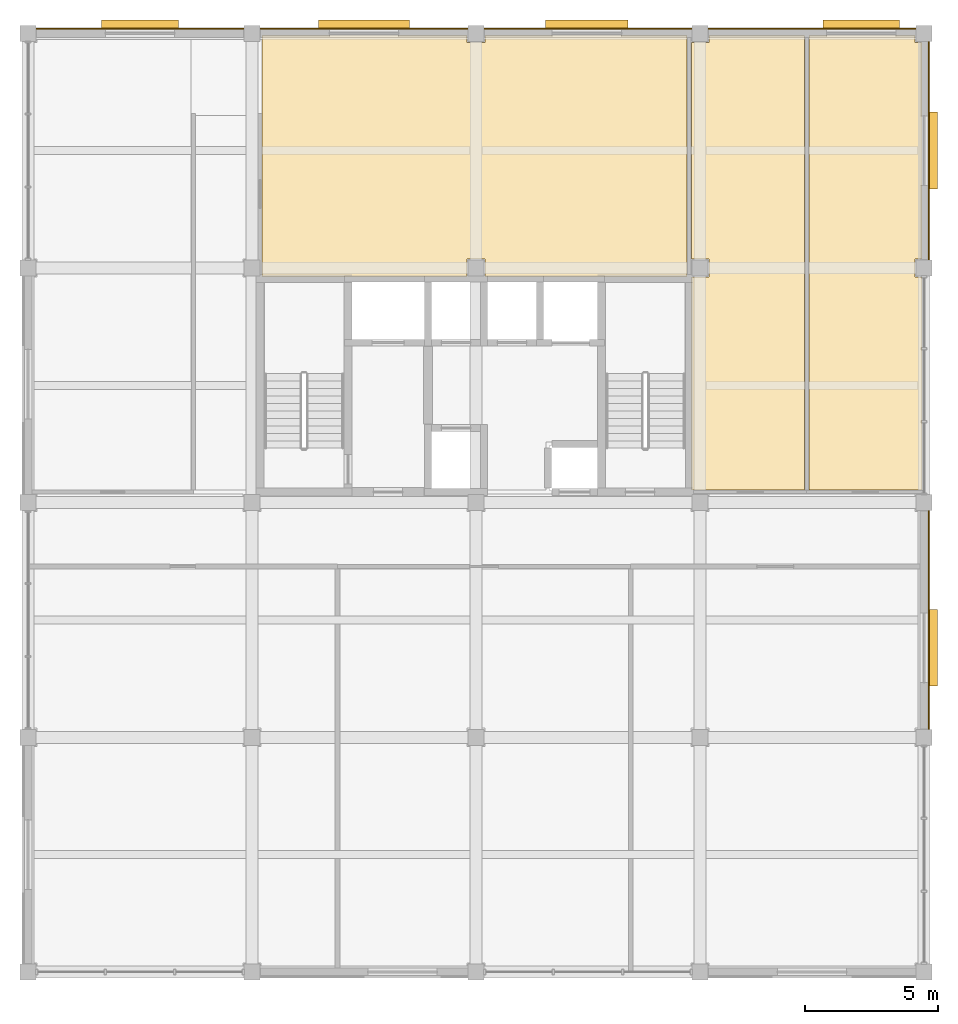
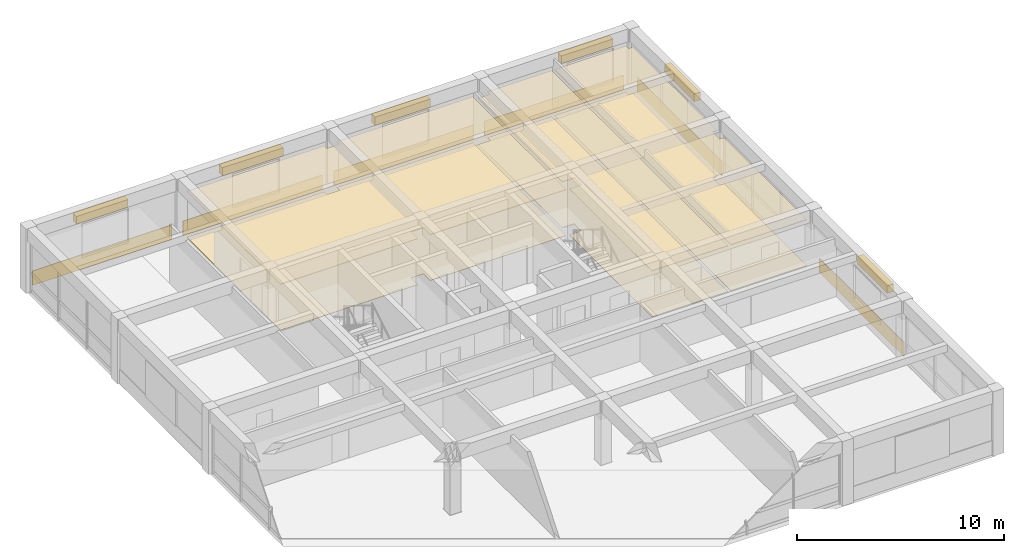
# One storey, part 12 of 12: 12 coverings, 6 shading devices.
"""IFC4 building model written with IfcOpenShell, lengths in metres."""

from ifc_helpers import new_model, si_unit, direction, frame, origin, origin_2d, place, context, subcontext, project, spatial, polyline, rectangle, outline, extrude, material, layer, layer_set, type_object, element, save


model = new_model("IFC4")

# Units and contexts
model_context = context("Model", 3, precision=1e-05, world=origin(), true_north=direction((0.0, 1.0)))
body_context = subcontext(model_context, "Body", "Model", "MODEL_VIEW")
ifc_project = project(units=[si_unit("LENGTHUNIT", "METRE"), si_unit("AREAUNIT", "SQUARE_METRE"), si_unit("VOLUMEUNIT", "CUBIC_METRE"), si_unit("PLANEANGLEUNIT", "RADIAN"), si_unit("MASSUNIT", "GRAM", prefix="KILO")], contexts=[model_context])

# Site, building, storey
site_placement = place(None, origin())
site = spatial("IfcSite", under=ifc_project, at=site_placement, CompositionType="ELEMENT")
building_placement = place(site_placement, origin())
building = spatial("IfcBuilding", under=site, at=building_placement, Name="Kemercrest Conservatory and Botanical Centre", CompositionType="ELEMENT")
storey_placement = place(building_placement, frame((0.0, 0.0, 56.0)))
storey = spatial("IfcBuildingStorey", under=building, at=storey_placement, Name="L14", CompositionType="ELEMENT", Elevation=56.0)

# Coverings
ifc_material_1 = material(Name="Honed limestone almasik ashlar rainscreen", Category="masonry")
ifc_layer_1 = layer(ifc_material_1, 0.0400390625)
ifc_layer_set_1 = layer_set([ifc_layer_1], Name="Honed limestone almasik ashlar rainscreen")
covering_type_1 = type_object("IfcCoveringType", Name="CV-CLD040", PredefinedType="CLADDING", material=ifc_layer_set_1)
covering_1_placement = place(storey_placement, origin())
element("IfcCovering", 1, at=covering_1_placement, inside=storey, type_object=covering_type_1, Name="Exterior stone spandrel cladding (WAL:L14:EXT-335)", PredefinedType="CLADDING", context=body_context, shape_type="SweptSolid", body=[
    extrude(outline(polyline([(176.14990234375, 96.31005859375), (176.18994140625, 96.31005859375), (176.18994140625, 104.489990234375), (176.14990234375, 104.489990234375), (176.14990234375, 96.31005859375)])), origin(), (0.0, 0.0, 1.0), 0.85009765625),
])
covering_2_placement = place(storey_placement, origin())
element("IfcCovering", 2, at=covering_2_placement, inside=storey, type_object=covering_type_1, Name="Exterior stone spandrel cladding (WAL:L14:EXT-336)", PredefinedType="CLADDING", context=body_context, shape_type="SweptSolid", body=[
    extrude(outline(polyline([(176.14990234375, 113.909912109375), (176.18994140625, 113.909912109375), (176.18994140625, 122.090087890625), (176.14990234375, 122.090087890625), (176.14990234375, 113.909912109375)])), origin(), (0.0, 0.0, 1.0), 0.85009765625),
])
covering_3_placement = place(storey_placement, origin())
element("IfcCovering", 3, at=covering_3_placement, inside=storey, type_object=covering_type_1, Name="Exterior stone spandrel cladding (WAL:L14:EXT-337)", PredefinedType="CLADDING", context=body_context, shape_type="SweptSolid", body=[
    extrude(outline(polyline([(175.68994140625, 122.550048828125), (175.68994140625, 122.590087890625), (167.909912109375, 122.590087890625), (167.909912109375, 122.550048828125), (175.68994140625, 122.550048828125)])), origin(), (0.0, 0.0, 1.0), 0.85009765625),
])
covering_4_placement = place(storey_placement, origin())
element("IfcCovering", 4, at=covering_4_placement, inside=storey, type_object=covering_type_1, Name="Exterior stone spandrel cladding (WAL:L14:EXT-338)", PredefinedType="CLADDING", context=body_context, shape_type="SweptSolid", body=[
    extrude(outline(polyline([(167.2900390625, 122.550048828125), (167.2900390625, 122.590087890625), (159.510009765625, 122.590087890625), (159.510009765625, 122.550048828125), (167.2900390625, 122.550048828125)])), origin(), (0.0, 0.0, 1.0), 0.85009765625),
])
covering_5_placement = place(storey_placement, origin())
element("IfcCovering", 5, at=covering_5_placement, inside=storey, type_object=covering_type_1, Name="Exterior stone spandrel cladding (WAL:L14:EXT-339)", PredefinedType="CLADDING", context=body_context, shape_type="SweptSolid", body=[
    extrude(outline(polyline([(158.889892578125, 122.550048828125), (158.889892578125, 122.590087890625), (151.110107421875, 122.590087890625), (151.110107421875, 122.550048828125), (158.889892578125, 122.550048828125)])), origin(), (0.0, 0.0, 1.0), 0.85009765625),
])
covering_6_placement = place(storey_placement, origin())
element("IfcCovering", 6, at=covering_6_placement, inside=storey, type_object=covering_type_1, Name="Exterior stone spandrel cladding (WAL:L14:EXT-340)", PredefinedType="CLADDING", context=body_context, shape_type="SweptSolid", body=[
    extrude(outline(polyline([(150.489990234375, 122.550048828125), (150.489990234375, 122.590087890625), (142.7099609375, 122.590087890625), (142.7099609375, 122.550048828125), (150.489990234375, 122.550048828125)])), origin(), (0.0, 0.0, 1.0), 0.85009765625),
])
ifc_material_2 = material(Name="Perforated acoustic gypsum and mineral-fibre suspended ceiling", Category="gypsum")
ifc_layer_2 = layer(ifc_material_2, 0.034912109375)
ifc_layer_set_2 = layer_set([ifc_layer_2], Name="Perforated acoustic gypsum and mineral-fibre suspended ceiling")
covering_type_2 = type_object("IfcCoveringType", Name="CV-CLG035", PredefinedType="CEILING", material=ifc_layer_set_2)
covering_7_placement = place(storey_placement, frame((0.0, 0.0, 2.699951171875)))
element("IfcCovering", 7, at=covering_7_placement, inside=storey, type_object=covering_type_2, Name="Botanical Archive Reading Studio suspended acoustic ceiling", PredefinedType="CEILING", context=body_context, shape_type="SweptSolid", body=[
    extrude(outline(polyline([(159.5400390625, 113.280029296875), (167.1201171875, 113.280029296875), (167.1201171875, 122.320068359375), (159.5400390625, 122.320068359375), (159.5400390625, 122.06005859375), (158.860107421875, 122.06005859375), (158.860107421875, 122.320068359375), (151.179931640625, 122.320068359375), (151.179931640625, 113.280029296875), (158.860107421875, 113.280029296875), (158.860107421875, 113.93994140625), (159.5400390625, 113.93994140625), (159.5400390625, 113.280029296875)])), origin(), (0.0, 0.0, 1.0), 0.03515625),
])
covering_8_placement = place(storey_placement, frame((0.0, 0.0, 2.699951171875)))
element("IfcCovering", 8, at=covering_8_placement, inside=storey, type_object=covering_type_2, Name="Staff Washroom suspended acoustic ceiling", PredefinedType="CEILING", context=body_context, shape_type="SweptSolid", body=[
    extrude(outline(polyline([(167.280029296875, 105.280029296875), (171.52001953125, 105.280029296875), (171.52001953125, 122.320068359375), (167.93994140625, 122.320068359375), (167.93994140625, 122.06005859375), (167.280029296875, 122.06005859375), (167.280029296875, 113.93994140625), (167.93994140625, 113.93994140625), (167.93994140625, 113.260009765625), (167.280029296875, 113.260009765625), (167.280029296875, 105.280029296875)])), origin(), (0.0, 0.0, 1.0), 0.03515625),
])
covering_9_placement = place(storey_placement, frame((0.0, 0.0, 2.699951171875)))
element("IfcCovering", 9, at=covering_9_placement, inside=storey, type_object=covering_type_2, Name="Accessible Washroom suspended acoustic ceiling", PredefinedType="CEILING", context=body_context, shape_type="SweptSolid", body=[
    extrude(outline(polyline([(171.679931640625, 105.280029296875), (175.919921875, 105.280029296875), (175.919921875, 113.260009765625), (175.659912109375, 113.260009765625), (175.659912109375, 113.93994140625), (175.919921875, 113.93994140625), (175.919921875, 122.06005859375), (175.659912109375, 122.06005859375), (175.659912109375, 122.320068359375), (171.679931640625, 122.320068359375), (171.679931640625, 105.280029296875)])), origin(), (0.0, 0.0, 1.0), 0.03515625),
])
ifc_material_3 = material(Name="Polished limestone terrazzo and seamless laboratory epoxy flooring", Category="masonry")
ifc_layer_3 = layer(ifc_material_3, 0.02001953125)
ifc_layer_set_3 = layer_set([ifc_layer_3], Name="Polished limestone terrazzo and seamless laboratory epoxy flooring")
covering_type_3 = type_object("IfcCoveringType", Name="CV-FLR020", PredefinedType="FLOORING", material=ifc_layer_set_3)
covering_10_placement = place(storey_placement, origin())
element("IfcCovering", 10, at=covering_10_placement, inside=storey, type_object=covering_type_3, Name="Botanical Archive Reading Studio floor finish", PredefinedType="FLOORING", context=body_context, shape_type="SweptSolid", body=[
    extrude(outline(polyline([(159.5400390625, 113.280029296875), (167.1201171875, 113.280029296875), (167.1201171875, 122.320068359375), (159.5400390625, 122.320068359375), (159.5400390625, 122.06005859375), (158.860107421875, 122.06005859375), (158.860107421875, 122.320068359375), (151.179931640625, 122.320068359375), (151.179931640625, 113.280029296875), (158.860107421875, 113.280029296875), (158.860107421875, 113.93994140625), (159.5400390625, 113.93994140625), (159.5400390625, 113.280029296875)])), origin(), (0.0, 0.0, 1.0), 0.02001953125),
])
covering_11_placement = place(storey_placement, origin())
element("IfcCovering", 11, at=covering_11_placement, inside=storey, type_object=covering_type_3, Name="Staff Washroom floor finish", PredefinedType="FLOORING", context=body_context, shape_type="SweptSolid", body=[
    extrude(outline(polyline([(167.280029296875, 105.280029296875), (171.52001953125, 105.280029296875), (171.52001953125, 122.320068359375), (167.93994140625, 122.320068359375), (167.93994140625, 122.06005859375), (167.280029296875, 122.06005859375), (167.280029296875, 113.93994140625), (167.93994140625, 113.93994140625), (167.93994140625, 113.260009765625), (167.280029296875, 113.260009765625), (167.280029296875, 105.280029296875)])), origin(), (0.0, 0.0, 1.0), 0.02001953125),
])
covering_12_placement = place(storey_placement, origin())
element("IfcCovering", 12, at=covering_12_placement, inside=storey, type_object=covering_type_3, Name="Accessible Washroom floor finish", PredefinedType="FLOORING", context=body_context, shape_type="SweptSolid", body=[
    extrude(outline(polyline([(171.679931640625, 105.280029296875), (175.919921875, 105.280029296875), (175.919921875, 113.260009765625), (175.659912109375, 113.260009765625), (175.659912109375, 113.93994140625), (175.919921875, 113.93994140625), (175.919921875, 122.06005859375), (175.659912109375, 122.06005859375), (175.659912109375, 122.320068359375), (171.679931640625, 122.320068359375), (171.679931640625, 105.280029296875)])), origin(), (0.0, 0.0, 1.0), 0.02001953125),
])

# Shading devices
ifc_material_4 = material(Name="Architectural bronze-anodized extruded aluminium", Category="aluminium")
shading_device_type_1 = type_object("IfcShadingDeviceType", Name="SH-JL01", PredefinedType="JALOUSIE", material=ifc_material_4)
for number, where, z_axis, x_axis, name in (
    (13, (176.322998046875, 99.35498046875, 2.7548828125), (0.0, 0.0, 1.0), (0.0, 1.0, 0.0), "Solar control louvre visor SH-JL01 (WIN:L14:EXT-335)"),
    (14, (146.60009765625, 122.722900390625, 2.7548828125), (0.0, 0.0, 1.0), (-1.0, 0.0, 0.0), "Solar control louvre visor SH-JL01 (WIN:L14:EXT-340)"),
):
    element("IfcShadingDevice", number, at=place(storey_placement, frame(where, z_axis=z_axis, x_axis=x_axis)), inside=storey, type_object=shading_device_type_1, Name=name, PredefinedType="JALOUSIE", context=body_context, shape_type="SweptSolid", body=[
        extrude(rectangle(XDim=2.8798828125, YDim=0.35009765625, at=origin_2d()), origin(), (0.0, 0.0, 1.0), 0.449951171875),
    ])
shading_device_type_2 = type_object("IfcShadingDeviceType", Name="SH-JL02", PredefinedType="JALOUSIE", material=ifc_material_4)
shading_device_1_placement = place(storey_placement, frame((176.322998046875, 118.0, 2.7548828125), z_axis=(0.0, 0.0, 1.0), x_axis=(0.0, 1.0, 0.0)))
element("IfcShadingDevice", 15, at=shading_device_1_placement, inside=storey, type_object=shading_device_type_2, Name="Solar control louvre visor SH-JL02 (WIN:L14:EXT-336)", PredefinedType="JALOUSIE", context=body_context, shape_type="SweptSolid", body=[
    extrude(rectangle(XDim=2.8798828125, YDim=0.35009765625, at=origin_2d()), origin(), (0.0, 0.0, 1.0), 0.449951171875),
])
shading_device_type_3 = type_object("IfcShadingDeviceType", Name="SH-JL03", PredefinedType="JALOUSIE", material=ifc_material_4)
shading_device_2_placement = place(storey_placement, frame((173.64501953125, 122.722900390625, 2.7548828125), z_axis=(0.0, 0.0, 1.0), x_axis=(-1.0, 0.0, 0.0)))
element("IfcShadingDevice", 16, at=shading_device_2_placement, inside=storey, type_object=shading_device_type_3, Name="Solar control louvre visor SH-JL03 (WIN:L14:EXT-337)", PredefinedType="JALOUSIE", context=body_context, shape_type="SweptSolid", body=[
    extrude(rectangle(XDim=2.8798828125, YDim=0.35009765625, at=origin_2d()), origin(), (0.0, 0.0, 1.0), 0.449951171875),
])
shading_device_type_4 = type_object("IfcShadingDeviceType", Name="SH-JL04", PredefinedType="JALOUSIE", material=ifc_material_4)
shading_device_3_placement = place(storey_placement, frame((163.35498046875, 122.722900390625, 2.72998046875), z_axis=(0.0, 0.0, 1.0), x_axis=(-1.0, 0.0, 0.0)))
element("IfcShadingDevice", 17, at=shading_device_3_placement, inside=storey, type_object=shading_device_type_4, Name="Solar control louvre visor SH-JL04 (WIN:L14:EXT-338)", PredefinedType="JALOUSIE", context=body_context, shape_type="SweptSolid", body=[
    extrude(rectangle(XDim=3.10009765625, YDim=0.35009765625, at=origin_2d()), origin(), (0.0, 0.0, 1.0), 0.5),
])
shading_device_type_5 = type_object("IfcShadingDeviceType", Name="SH-JL05", PredefinedType="JALOUSIE", material=ifc_material_4)
shading_device_4_placement = place(storey_placement, frame((155.0, 122.722900390625, 2.72998046875), z_axis=(0.0, 0.0, 1.0), x_axis=(-1.0, 0.0, 0.0)))
element("IfcShadingDevice", 18, at=shading_device_4_placement, inside=storey, type_object=shading_device_type_5, Name="Solar control louvre visor SH-JL05 (WIN:L14:EXT-339)", PredefinedType="JALOUSIE", context=body_context, shape_type="SweptSolid", body=[
    extrude(rectangle(XDim=3.39990234375, YDim=0.35009765625, at=origin_2d()), origin(), (0.0, 0.0, 1.0), 0.5),
])

save(model, "model.ifc")
